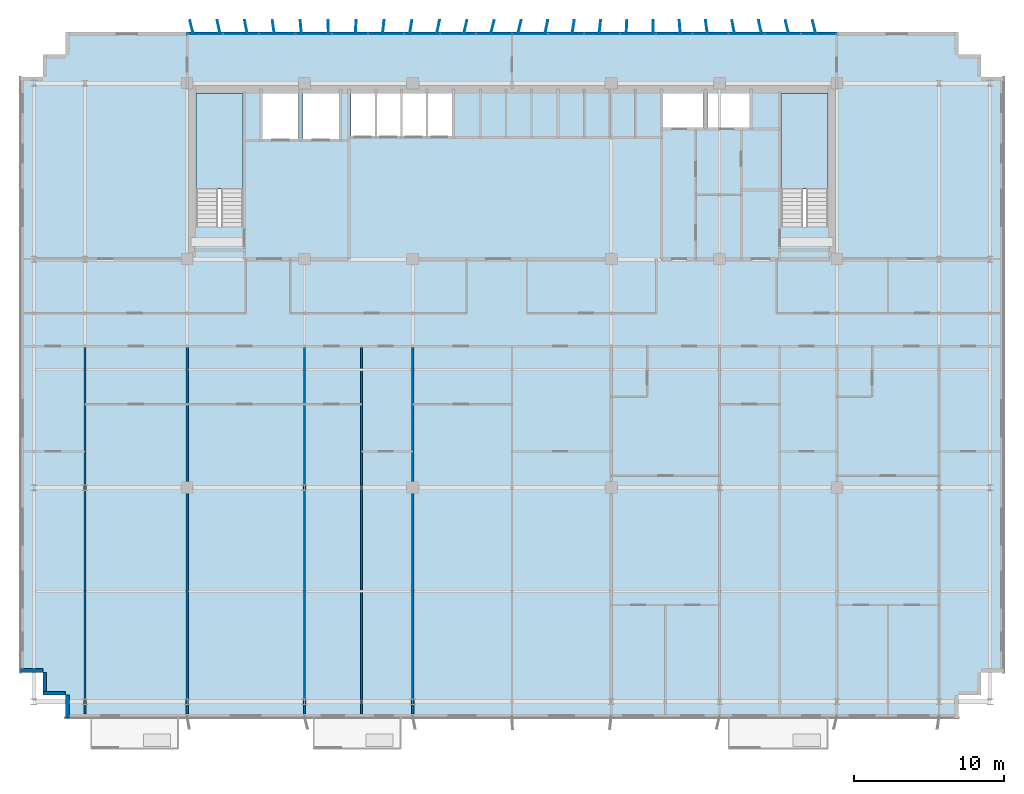
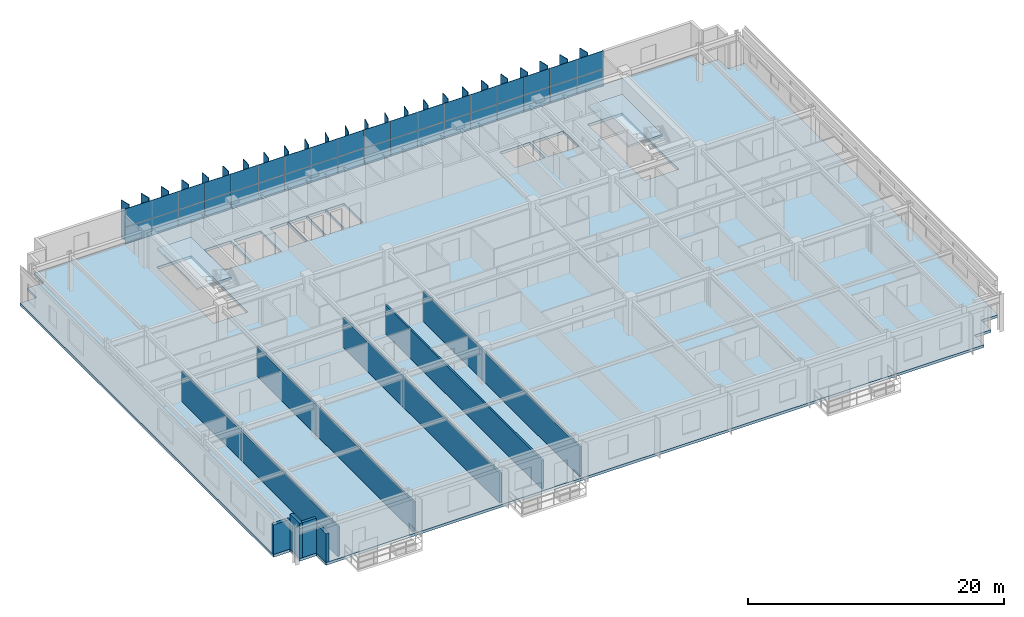
# One storey, part 13 of 21: 60 plates, 9 walls, 3 slabs, 3 elements without a shape of their own.
"""IFC4 building model written with IfcOpenShell, lengths in metres."""

from ifc_helpers import new_model, si_unit, direction, frame, frame_2d, origin, origin_2d, place, context, subcontext, project, spatial, polyline, rectangle, outline, extrude, source, transform, mapped, material, layer, layer_set, type_object, element, aggregate, save


model = new_model("IFC4")

# Units and contexts
model_context = context("Model", 3, precision=1e-05, world=origin(), true_north=direction((0.0, 1.0)))
body_context = subcontext(model_context, "Body", "Model", "MODEL_VIEW")
ifc_project = project(units=[si_unit("LENGTHUNIT", "METRE"), si_unit("AREAUNIT", "SQUARE_METRE"), si_unit("VOLUMEUNIT", "CUBIC_METRE"), si_unit("PLANEANGLEUNIT", "RADIAN"), si_unit("MASSUNIT", "GRAM", prefix="KILO")], contexts=[model_context])

# Site, building, storey
site_placement = place(None, origin())
site = spatial("IfcSite", under=ifc_project, at=site_placement, CompositionType="ELEMENT")
building_placement = place(site_placement, origin())
building = spatial("IfcBuilding", under=site, at=building_placement, Name="Trelvane Seafront Commons", CompositionType="ELEMENT")
storey_placement = place(building_placement, frame((0.0, 0.0, 106.89990234375)))
storey = spatial("IfcBuildingStorey", under=building, at=storey_placement, Name="L27", CompositionType="ELEMENT", Elevation=106.89990234375)

# Stair, slab
ifc_material_1 = material(Name="Concrete C40/50", Category="concrete")
stair_type_1 = type_object("IfcStairType", Name="ARCH-STR-ST-1-R20-180", PredefinedType="HALF_TURN_STAIR", material=ifc_material_1)
stair_1_placement = place(storey_placement, origin())
stair_1 = element("IfcStair", 1, at=stair_1_placement, inside=storey, type_object=stair_type_1, Name="L27 West Protected Firefighting Exit Stair ST-1", PredefinedType="HALF_TURN_STAIR")
ifc_layer_1 = layer(ifc_material_1, 0.199951171875, Name="ARCH-LND-200")
ifc_layer_set_1 = layer_set([ifc_layer_1], Name="Concrete C40/50")
slab_type_1 = type_object("IfcSlabType", Name="ARCH-LND-200", PredefinedType="LANDING", material=ifc_layer_set_1)
slab_1_placement = place(storey_placement, frame((0.0, 0.0, 1.60009765625)))
slab_1 = element("IfcSlab", 2, at=slab_1_placement, type_object=slab_type_1, Name="ST-1 landing 1", PredefinedType="LANDING", context=body_context, shape_type="SweptSolid", body=[
    extrude(outline(polyline([(19.300048828125, 38.070068359375), (19.300048828125, 44.39990234375), (16.199951171875, 44.39990234375), (16.199951171875, 38.070068359375), (19.300048828125, 38.070068359375)])), origin(), (0.0, 0.0, 1.0), 0.199951171875),
])
aggregate(stair_1, [slab_1])

stair_type_2 = type_object("IfcStairType", Name="ARCH-STR-ST-2-R20-180", PredefinedType="HALF_TURN_STAIR", material=ifc_material_1)
stair_2_placement = place(storey_placement, origin())
stair_2 = element("IfcStair", 3, at=stair_2_placement, inside=storey, type_object=stair_type_2, Name="L27 East Protected Firefighting Exit Stair ST-2", PredefinedType="HALF_TURN_STAIR")
slab_2_placement = place(storey_placement, frame((0.0, 0.0, 1.60009765625)))
slab_2 = element("IfcSlab", 4, at=slab_2_placement, type_object=slab_type_1, Name="ST-2 landing 1", PredefinedType="LANDING", context=body_context, shape_type="SweptSolid", body=[
    extrude(outline(polyline([(58.199951171875, 38.070068359375), (58.199951171875, 44.39990234375), (55.10009765625, 44.39990234375), (55.10009765625, 38.070068359375), (58.199951171875, 38.070068359375)])), origin(), (0.0, 0.0, 1.0), 0.199951171875),
])
aggregate(stair_2, [slab_2])

# Slab
ifc_material_2 = material(Name="Concrete C50/60", Category="concrete")
ifc_layer_2 = layer(ifc_material_2, 0.260009765625, Name="STR-SLB-Z1-260")
ifc_layer_set_2 = layer_set([ifc_layer_2], Name="Concrete C50/60")
slab_type_2 = type_object("IfcSlabType", Name="STR-SLB-Z1-260", PredefinedType="FLOOR", material=ifc_layer_set_2)
slab_3_placement = place(storey_placement, frame((0.0, 0.0, -0.260009765625)))
element("IfcSlab", 5, at=slab_3_placement, inside=storey, type_object=slab_type_2, Name="L27 Structural Floor Slab", PredefinedType="FLOOR", context=body_context, shape_type="SweptSolid", body=[
    extrude(outline(polyline([(7.5, 2.89990234375), (66.89990234375, 2.89990234375), (66.89990234375, 4.39990234375), (68.39990234375, 4.39990234375), (68.39990234375, 5.89990234375), (69.89990234375, 5.89990234375), (69.89990234375, 45.5), (68.39990234375, 45.5), (68.39990234375, 47.0), (66.89990234375, 47.0), (66.89990234375, 48.5), (7.5, 48.5), (7.5, 47.0), (6.0, 47.0), (6.0, 45.5), (4.5, 45.5), (4.5, 5.89990234375), (6.0, 5.89990234375), (6.0, 4.39990234375), (7.5, 4.39990234375), (7.5, 2.89990234375)]), holes=[polyline([(19.300048828125, 35.550048828125), (16.199951171875, 35.550048828125), (16.199951171875, 44.39990234375), (19.300048828125, 44.39990234375), (19.300048828125, 35.550048828125)]), polyline([(58.199951171875, 35.550048828125), (55.10009765625, 35.550048828125), (55.10009765625, 44.39990234375), (58.199951171875, 44.39990234375), (58.199951171875, 35.550048828125)]), polyline([(23.0, 41.39990234375), (20.60009765625, 41.39990234375), (20.60009765625, 44.60009765625), (23.0, 44.60009765625), (23.0, 41.39990234375)]), polyline([(23.300048828125, 41.39990234375), (23.300048828125, 44.60009765625), (25.699951171875, 44.60009765625), (25.699951171875, 41.39990234375), (23.300048828125, 41.39990234375)]), polyline([(26.5, 41.60009765625), (26.5, 44.60009765625), (28.1201171875, 44.60009765625), (28.1201171875, 41.60009765625), (26.5, 41.60009765625)]), polyline([(29.820068359375, 41.60009765625), (28.199951171875, 41.60009765625), (28.199951171875, 44.60009765625), (29.820068359375, 44.60009765625), (29.820068359375, 41.60009765625)]), polyline([(31.52001953125, 41.60009765625), (29.89990234375, 41.60009765625), (29.89990234375, 44.60009765625), (31.52001953125, 44.60009765625), (31.52001953125, 41.60009765625)]), polyline([(33.219970703125, 41.60009765625), (31.60009765625, 41.60009765625), (31.60009765625, 44.60009765625), (33.219970703125, 44.60009765625), (33.219970703125, 41.60009765625)]), polyline([(47.25, 42.14990234375), (47.25, 44.550048828125), (49.949951171875, 44.550048828125), (49.949951171875, 42.14990234375), (47.25, 42.14990234375)]), polyline([(50.199951171875, 42.14990234375), (50.199951171875, 44.550048828125), (53.0, 44.550048828125), (53.0, 42.14990234375), (50.199951171875, 42.14990234375)])]), origin(), (0.0, 0.0, 1.0), 0.260009765625),
])

# Plates
ifc_material_3 = material(Name="Anodised pale-silver aluminium", Category="aluminium")
ifc_layer_3 = layer(ifc_material_3, 0.06005859375, Name="ARCH-PLATE-FIN900")
ifc_layer_set_3 = layer_set([ifc_layer_3], Name="Anodised pale-silver aluminium")
plate_type_1 = type_object("IfcPlateType", Name="ARCH-PLATE-FIN900", PredefinedType="USERDEFINED", material=ifc_layer_set_3)
shared_shape_1 = source(origin(), body_context, "Body", "SweptSolid", [
    extrude(rectangle(XDim=0.89990234375, YDim=0.06005859375, at=origin_2d()), origin(), (0.0, 0.0, 1.0), 3.639892578125),
])
for number, where, z_axis, x_axis, name in (
    (6, (15.89208984375, 48.8369140625, -0.02001953125), (0.0, 0.0, 1.0), (-0.239999316129, 0.970773057031, 0.0), "FIN-L27-00682"),
    (7, (17.69970703125, 48.838623046875, -0.02001953125), (0.0, 0.0, 1.0), (-0.223114011497, 0.974792356286, 0.0), "FIN-L27-00683"),
    (8, (19.5146484375, 48.841796875, -0.02001953125), (0.0, 0.0, 1.0), (-0.189787787796, 0.981825134942, 0.0), "FIN-L27-00684"),
    (9, (21.3359375, 48.845458984375, -0.02001953125), (0.0, 0.0, 1.0), (-0.142214324707, 0.989835888341, 0.0), "FIN-L27-00685"),
    (10, (23.162353515625, 48.848388671875, -0.02001953125), (0.0, 0.0, 1.0), (-0.083780456169, 0.996484237288, 0.0), "FIN-L27-00686"),
    (11, (24.991455078125, 48.849853515625, -0.02001953125), (0.0, 0.0, 1.0), (-0.01889032016, 0.999821561982, 0.0), "FIN-L27-00687"),
    (12, (26.8212890625, 48.849609375, -0.02001953125), (0.0, 0.0, 1.0), (0.047554497627, 0.998868644896, 0.0), "FIN-L27-00688"),
    (13, (28.649658203125, 48.847412109375, -0.02001953125), (0.0, 0.0, 1.0), (0.110223508315, 0.993906825721, 0.0), "FIN-L27-00689"),
    (14, (32.292724609375, 48.84033203125, -0.02001953125), (0.0, 0.0, 1.0), (0.20610513076, 0.978529853952, 0.0), "FIN-L27-00691"),
    (15, (34.1044921875, 48.837646484375, -0.02001953125), (0.0, 0.0, 1.0), (0.232561075413, 0.972581794094, 0.0), "FIN-L27-00692"),
    (16, (35.908935546875, 48.836669921875, -0.02001953125), (0.0, 0.0, 1.0), (0.241881251735, 0.970305859025, 0.0), "FIN-L27-00693"),
    (17, (37.705078125, 48.837646484375, -0.02001953125), (0.0, 0.0, 1.0), (0.233662587554, 0.972317743938, 0.0), "FIN-L27-00694"),
    (18, (39.49365234375, 48.840087890625, -0.02001953125), (0.0, 0.0, 1.0), (0.208345296537, 0.978055334534, 0.0), "FIN-L27-00695"),
    (19, (41.275390625, 48.843505859375, -0.02001953125), (0.0, 0.0, 1.0), (0.167551697964, 0.985863290984, 0.0), "FIN-L27-00696"),
    (20, (43.05126953125, 48.846923828125, -0.02001953125), (0.0, 0.0, 1.0), (0.11411357388, 0.993467710727, 0.0), "FIN-L27-00697"),
    (21, (44.8232421875, 48.849365234375, -0.02001953125), (0.0, 0.0, 1.0), (0.051888016097, 0.998652909566, 0.0), "FIN-L27-00698"),
    (22, (46.593505859375, 48.849853515625, -0.02001953125), (0.0, 0.0, 1.0), (-0.014443842619, 0.999895682264, 0.0), "FIN-L27-00699"),
    (23, (48.364013671875, 48.8486328125, -0.02001953125), (0.0, 0.0, 1.0), (-0.079670042035, 0.996821290103, 0.0), "FIN-L27-00700"),
    (24, (50.1376953125, 48.845703125, -0.02001953125), (0.0, 0.0, 1.0), (-0.138666678043, 0.990339109801, 0.0), "FIN-L27-00701"),
    (25, (51.915771484375, 48.842041015625, -0.02001953125), (0.0, 0.0, 1.0), (-0.187004129554, 0.982359127575, 0.0), "FIN-L27-00702"),
    (26, (53.700439453125, 48.8388671875, -0.02001953125), (0.0, 0.0, 1.0), (-0.221328939593, 0.975199210674, 0.0), "FIN-L27-00703"),
    (27, (55.4921875, 48.8369140625, -0.02001953125), (0.0, 0.0, 1.0), (-0.239448623999, 0.970909036144, 0.0), "FIN-L27-00704"),
    (28, (57.2919921875, 48.8369140625, -0.02001953125), (0.0, 0.0, 1.0), (-0.239999316129, 0.970773057031, 0.0), "FIN-L27-00705"),
):
    element("IfcPlate", number, at=place(storey_placement, frame(where, z_axis=z_axis, x_axis=x_axis)), inside=storey, type_object=plate_type_1, Name=name, ObjectType="FIN", PredefinedType="USERDEFINED", context=body_context, shape_type="MappedRepresentation", body=[
        mapped(shared_shape_1, transform((0.0, 0.0, 0.0), x_axis=(1.0, 0.0, 0.0), y_axis=(0.0, 1.0, 0.0), z_axis=(0.0, 0.0, 1.0), scale=1.0)),
    ])
shared_shape_2 = source(origin(), body_context, "Body", "SweptSolid", [
    extrude(rectangle(XDim=0.900146484375, YDim=0.06005859375, at=origin_2d()), origin(), (0.0, 0.0, 1.0), 3.639892578125),
])
plate_1_placement = place(storey_placement, frame((30.47412109375, 48.843994140625, -0.02001953125), z_axis=(0.0, 0.0, 1.0), x_axis=(0.164434758093, 0.986387961368, 0.0)))
element("IfcPlate", 29, at=plate_1_placement, inside=storey, type_object=plate_type_1, Name="FIN-L27-00690", ObjectType="FIN", PredefinedType="USERDEFINED", context=body_context, shape_type="MappedRepresentation", body=[
    mapped(shared_shape_2, transform((0.0, 0.0, 0.0), x_axis=(1.0, 0.0, 0.0), y_axis=(0.0, 1.0, 0.0), z_axis=(0.0, 0.0, 1.0), scale=1.0)),
])

# Curtain wall, plates
curtain_wall_type = type_object("IfcCurtainWallType", Name="ARCH-CW4-SKYLOBBY", PredefinedType="NOTDEFINED", material=ifc_material_3)
curtain_wall_placement = place(storey_placement, origin())
curtain_wall = element("IfcCurtainWall", 30, at=curtain_wall_placement, inside=storey, type_object=curtain_wall_type, Name="CW-L27-0052", PredefinedType="NOTDEFINED")
ifc_material_4 = material(Name="Low-E coastal double glazing", Category="glass")
ifc_layer_4 = layer(ifc_material_4, 0.033935546875, Name="ARCH-CW-GLAZ-34")
ifc_layer_set_4 = layer_set([ifc_layer_4], Name="Low-E coastal double glazing")
plate_type_2 = type_object("IfcPlateType", Name="ARCH-CW-GLAZ-34", PredefinedType="CURTAIN_PANEL", material=ifc_layer_set_4)
shared_shape_3 = source(origin(), body_context, "Body", "SweptSolid", [
    extrude(rectangle(XDim=2.3759765625, YDim=0.0400390625, at=origin_2d()), origin(), (0.0, 0.0, 1.0), 1.5849609375),
])
plate_2_placement = place(storey_placement, frame((16.800048828125, 48.3701171875, 0.0), z_axis=(0.0, 0.0, 1.0), x_axis=(1.0, 0.0, 0.0)))
plate_2 = element("IfcPlate", 31, at=plate_2_placement, type_object=plate_type_2, Name="CW-L27-0052-P00-1", PredefinedType="CURTAIN_PANEL", context=body_context, shape_type="MappedRepresentation", body=[
    mapped(shared_shape_3, transform((0.0, 0.0, 0.0), x_axis=(1.0, 0.0, 0.0), y_axis=(0.0, 1.0, 0.0), z_axis=(0.0, 0.0, 1.0), scale=1.0)),
])
plate_3_placement = place(storey_placement, frame((19.199951171875, 48.3701171875, 0.0), z_axis=(0.0, 0.0, 1.0), x_axis=(1.0, 0.0, 0.0)))
plate_3 = element("IfcPlate", 32, at=plate_3_placement, type_object=plate_type_2, Name="CW-L27-0052-P01-1", PredefinedType="CURTAIN_PANEL", context=body_context, shape_type="MappedRepresentation", body=[
    mapped(shared_shape_3, transform((0.0, 0.0, 0.0), x_axis=(1.0, 0.0, 0.0), y_axis=(0.0, 1.0, 0.0), z_axis=(0.0, 0.0, 1.0), scale=1.0)),
])
plate_4_placement = place(storey_placement, frame((21.60009765625, 48.3701171875, 0.0), z_axis=(0.0, 0.0, 1.0), x_axis=(1.0, 0.0, 0.0)))
plate_4 = element("IfcPlate", 33, at=plate_4_placement, type_object=plate_type_2, Name="CW-L27-0052-P02-1", PredefinedType="CURTAIN_PANEL", context=body_context, shape_type="MappedRepresentation", body=[
    mapped(shared_shape_3, transform((0.0, 0.0, 0.0), x_axis=(1.0, 0.0, 0.0), y_axis=(0.0, 1.0, 0.0), z_axis=(0.0, 0.0, 1.0), scale=1.0)),
])
plate_5_placement = place(storey_placement, frame((24.0, 48.3701171875, 0.0), z_axis=(0.0, 0.0, 1.0), x_axis=(1.0, 0.0, 0.0)))
plate_5 = element("IfcPlate", 34, at=plate_5_placement, type_object=plate_type_2, Name="CW-L27-0052-P03-1", PredefinedType="CURTAIN_PANEL", context=body_context, shape_type="MappedRepresentation", body=[
    mapped(shared_shape_3, transform((0.0, 0.0, 0.0), x_axis=(1.0, 0.0, 0.0), y_axis=(0.0, 1.0, 0.0), z_axis=(0.0, 0.0, 1.0), scale=1.0)),
])
plate_6_placement = place(storey_placement, frame((26.39990234375, 48.3701171875, 0.0), z_axis=(0.0, 0.0, 1.0), x_axis=(1.0, 0.0, 0.0)))
plate_6 = element("IfcPlate", 35, at=plate_6_placement, type_object=plate_type_2, Name="CW-L27-0052-P04-1", PredefinedType="CURTAIN_PANEL", context=body_context, shape_type="MappedRepresentation", body=[
    mapped(shared_shape_3, transform((0.0, 0.0, 0.0), x_axis=(1.0, 0.0, 0.0), y_axis=(0.0, 1.0, 0.0), z_axis=(0.0, 0.0, 1.0), scale=1.0)),
])
plate_7_placement = place(storey_placement, frame((28.800048828125, 48.3701171875, 0.0), z_axis=(0.0, 0.0, 1.0), x_axis=(1.0, 0.0, 0.0)))
plate_7 = element("IfcPlate", 36, at=plate_7_placement, type_object=plate_type_2, Name="CW-L27-0052-P05-1", PredefinedType="CURTAIN_PANEL", context=body_context, shape_type="MappedRepresentation", body=[
    mapped(shared_shape_3, transform((0.0, 0.0, 0.0), x_axis=(1.0, 0.0, 0.0), y_axis=(0.0, 1.0, 0.0), z_axis=(0.0, 0.0, 1.0), scale=1.0)),
])
plate_8_placement = place(storey_placement, frame((31.199951171875, 48.3701171875, 0.0), z_axis=(0.0, 0.0, 1.0), x_axis=(1.0, 0.0, 0.0)))
plate_8 = element("IfcPlate", 37, at=plate_8_placement, type_object=plate_type_2, Name="CW-L27-0052-P06-1", PredefinedType="CURTAIN_PANEL", context=body_context, shape_type="MappedRepresentation", body=[
    mapped(shared_shape_3, transform((0.0, 0.0, 0.0), x_axis=(1.0, 0.0, 0.0), y_axis=(0.0, 1.0, 0.0), z_axis=(0.0, 0.0, 1.0), scale=1.0)),
])
plate_9_placement = place(storey_placement, frame((33.60009765625, 48.3701171875, 0.0), z_axis=(0.0, 0.0, 1.0), x_axis=(1.0, 0.0, 0.0)))
plate_9 = element("IfcPlate", 38, at=plate_9_placement, type_object=plate_type_2, Name="CW-L27-0052-P07-1", PredefinedType="CURTAIN_PANEL", context=body_context, shape_type="MappedRepresentation", body=[
    mapped(shared_shape_3, transform((0.0, 0.0, 0.0), x_axis=(1.0, 0.0, 0.0), y_axis=(0.0, 1.0, 0.0), z_axis=(0.0, 0.0, 1.0), scale=1.0)),
])
plate_10_placement = place(storey_placement, frame((36.0, 48.3701171875, 0.0), z_axis=(0.0, 0.0, 1.0), x_axis=(1.0, 0.0, 0.0)))
plate_10 = element("IfcPlate", 39, at=plate_10_placement, type_object=plate_type_2, Name="CW-L27-0052-P08-1", PredefinedType="CURTAIN_PANEL", context=body_context, shape_type="MappedRepresentation", body=[
    mapped(shared_shape_3, transform((0.0, 0.0, 0.0), x_axis=(1.0, 0.0, 0.0), y_axis=(0.0, 1.0, 0.0), z_axis=(0.0, 0.0, 1.0), scale=1.0)),
])
plate_11_placement = place(storey_placement, frame((38.39990234375, 48.3701171875, 0.0), z_axis=(0.0, 0.0, 1.0), x_axis=(1.0, 0.0, 0.0)))
plate_11 = element("IfcPlate", 40, at=plate_11_placement, type_object=plate_type_2, Name="CW-L27-0052-P09-1", PredefinedType="CURTAIN_PANEL", context=body_context, shape_type="MappedRepresentation", body=[
    mapped(shared_shape_3, transform((0.0, 0.0, 0.0), x_axis=(1.0, 0.0, 0.0), y_axis=(0.0, 1.0, 0.0), z_axis=(0.0, 0.0, 1.0), scale=1.0)),
])
plate_12_placement = place(storey_placement, frame((40.800048828125, 48.3701171875, 0.0), z_axis=(0.0, 0.0, 1.0), x_axis=(1.0, 0.0, 0.0)))
plate_12 = element("IfcPlate", 41, at=plate_12_placement, type_object=plate_type_2, Name="CW-L27-0052-P10-1", PredefinedType="CURTAIN_PANEL", context=body_context, shape_type="MappedRepresentation", body=[
    mapped(shared_shape_3, transform((0.0, 0.0, 0.0), x_axis=(1.0, 0.0, 0.0), y_axis=(0.0, 1.0, 0.0), z_axis=(0.0, 0.0, 1.0), scale=1.0)),
])
plate_13_placement = place(storey_placement, frame((43.199951171875, 48.3701171875, 0.0), z_axis=(0.0, 0.0, 1.0), x_axis=(1.0, 0.0, 0.0)))
plate_13 = element("IfcPlate", 42, at=plate_13_placement, type_object=plate_type_2, Name="CW-L27-0052-P11-1", PredefinedType="CURTAIN_PANEL", context=body_context, shape_type="MappedRepresentation", body=[
    mapped(shared_shape_3, transform((0.0, 0.0, 0.0), x_axis=(1.0, 0.0, 0.0), y_axis=(0.0, 1.0, 0.0), z_axis=(0.0, 0.0, 1.0), scale=1.0)),
])
plate_14_placement = place(storey_placement, frame((45.60009765625, 48.3701171875, 0.0), z_axis=(0.0, 0.0, 1.0), x_axis=(1.0, 0.0, 0.0)))
plate_14 = element("IfcPlate", 43, at=plate_14_placement, type_object=plate_type_2, Name="CW-L27-0052-P12-1", PredefinedType="CURTAIN_PANEL", context=body_context, shape_type="MappedRepresentation", body=[
    mapped(shared_shape_3, transform((0.0, 0.0, 0.0), x_axis=(1.0, 0.0, 0.0), y_axis=(0.0, 1.0, 0.0), z_axis=(0.0, 0.0, 1.0), scale=1.0)),
])
plate_15_placement = place(storey_placement, frame((48.0, 48.3701171875, 0.0), z_axis=(0.0, 0.0, 1.0), x_axis=(1.0, 0.0, 0.0)))
plate_15 = element("IfcPlate", 44, at=plate_15_placement, type_object=plate_type_2, Name="CW-L27-0052-P13-1", PredefinedType="CURTAIN_PANEL", context=body_context, shape_type="MappedRepresentation", body=[
    mapped(shared_shape_3, transform((0.0, 0.0, 0.0), x_axis=(1.0, 0.0, 0.0), y_axis=(0.0, 1.0, 0.0), z_axis=(0.0, 0.0, 1.0), scale=1.0)),
])
plate_16_placement = place(storey_placement, frame((50.39990234375, 48.3701171875, 0.0), z_axis=(0.0, 0.0, 1.0), x_axis=(1.0, 0.0, 0.0)))
plate_16 = element("IfcPlate", 45, at=plate_16_placement, type_object=plate_type_2, Name="CW-L27-0052-P14-1", PredefinedType="CURTAIN_PANEL", context=body_context, shape_type="MappedRepresentation", body=[
    mapped(shared_shape_3, transform((0.0, 0.0, 0.0), x_axis=(1.0, 0.0, 0.0), y_axis=(0.0, 1.0, 0.0), z_axis=(0.0, 0.0, 1.0), scale=1.0)),
])
plate_17_placement = place(storey_placement, frame((52.800048828125, 48.3701171875, 0.0), z_axis=(0.0, 0.0, 1.0), x_axis=(1.0, 0.0, 0.0)))
plate_17 = element("IfcPlate", 46, at=plate_17_placement, type_object=plate_type_2, Name="CW-L27-0052-P15-1", PredefinedType="CURTAIN_PANEL", context=body_context, shape_type="MappedRepresentation", body=[
    mapped(shared_shape_3, transform((0.0, 0.0, 0.0), x_axis=(1.0, 0.0, 0.0), y_axis=(0.0, 1.0, 0.0), z_axis=(0.0, 0.0, 1.0), scale=1.0)),
])
plate_18_placement = place(storey_placement, frame((55.199951171875, 48.3701171875, 0.0), z_axis=(0.0, 0.0, 1.0), x_axis=(1.0, 0.0, 0.0)))
plate_18 = element("IfcPlate", 47, at=plate_18_placement, type_object=plate_type_2, Name="CW-L27-0052-P16-1", PredefinedType="CURTAIN_PANEL", context=body_context, shape_type="MappedRepresentation", body=[
    mapped(shared_shape_3, transform((0.0, 0.0, 0.0), x_axis=(1.0, 0.0, 0.0), y_axis=(0.0, 1.0, 0.0), z_axis=(0.0, 0.0, 1.0), scale=1.0)),
])
plate_19_placement = place(storey_placement, frame((57.60009765625, 48.3701171875, 0.0), z_axis=(0.0, 0.0, 1.0), x_axis=(1.0, 0.0, 0.0)))
plate_19 = element("IfcPlate", 48, at=plate_19_placement, type_object=plate_type_2, Name="CW-L27-0052-P17-1", PredefinedType="CURTAIN_PANEL", context=body_context, shape_type="MappedRepresentation", body=[
    mapped(shared_shape_3, transform((0.0, 0.0, 0.0), x_axis=(1.0, 0.0, 0.0), y_axis=(0.0, 1.0, 0.0), z_axis=(0.0, 0.0, 1.0), scale=1.0)),
])
shared_shape_4 = source(origin(), body_context, "Body", "SweptSolid", [
    extrude(rectangle(XDim=2.3759765625, YDim=0.0400390625, at=origin_2d()), origin(), (0.0, 0.0, 1.0), 1.718994140625),
])
plate_20_placement = place(storey_placement, frame((16.800048828125, 48.3701171875, 1.62109375), z_axis=(0.0, 0.0, 1.0), x_axis=(1.0, 0.0, 0.0)))
plate_20 = element("IfcPlate", 49, at=plate_20_placement, type_object=plate_type_2, Name="CW-L27-0052-P00-2", PredefinedType="CURTAIN_PANEL", context=body_context, shape_type="MappedRepresentation", body=[
    mapped(shared_shape_4, transform((0.0, 0.0, 0.0), x_axis=(1.0, 0.0, 0.0), y_axis=(0.0, 1.0, 0.0), z_axis=(0.0, 0.0, 1.0), scale=1.0)),
])
plate_21_placement = place(storey_placement, frame((19.199951171875, 48.3701171875, 1.62109375), z_axis=(0.0, 0.0, 1.0), x_axis=(1.0, 0.0, 0.0)))
plate_21 = element("IfcPlate", 50, at=plate_21_placement, type_object=plate_type_2, Name="CW-L27-0052-P01-2", PredefinedType="CURTAIN_PANEL", context=body_context, shape_type="MappedRepresentation", body=[
    mapped(shared_shape_4, transform((0.0, 0.0, 0.0), x_axis=(1.0, 0.0, 0.0), y_axis=(0.0, 1.0, 0.0), z_axis=(0.0, 0.0, 1.0), scale=1.0)),
])
plate_22_placement = place(storey_placement, frame((21.60009765625, 48.3701171875, 1.62109375), z_axis=(0.0, 0.0, 1.0), x_axis=(1.0, 0.0, 0.0)))
plate_22 = element("IfcPlate", 51, at=plate_22_placement, type_object=plate_type_2, Name="CW-L27-0052-P02-2", PredefinedType="CURTAIN_PANEL", context=body_context, shape_type="MappedRepresentation", body=[
    mapped(shared_shape_4, transform((0.0, 0.0, 0.0), x_axis=(1.0, 0.0, 0.0), y_axis=(0.0, 1.0, 0.0), z_axis=(0.0, 0.0, 1.0), scale=1.0)),
])
plate_23_placement = place(storey_placement, frame((24.0, 48.3701171875, 1.62109375), z_axis=(0.0, 0.0, 1.0), x_axis=(1.0, 0.0, 0.0)))
plate_23 = element("IfcPlate", 52, at=plate_23_placement, type_object=plate_type_2, Name="CW-L27-0052-P03-2", PredefinedType="CURTAIN_PANEL", context=body_context, shape_type="MappedRepresentation", body=[
    mapped(shared_shape_4, transform((0.0, 0.0, 0.0), x_axis=(1.0, 0.0, 0.0), y_axis=(0.0, 1.0, 0.0), z_axis=(0.0, 0.0, 1.0), scale=1.0)),
])
plate_24_placement = place(storey_placement, frame((26.39990234375, 48.3701171875, 1.62109375), z_axis=(0.0, 0.0, 1.0), x_axis=(1.0, 0.0, 0.0)))
plate_24 = element("IfcPlate", 53, at=plate_24_placement, type_object=plate_type_2, Name="CW-L27-0052-P04-2", PredefinedType="CURTAIN_PANEL", context=body_context, shape_type="MappedRepresentation", body=[
    mapped(shared_shape_4, transform((0.0, 0.0, 0.0), x_axis=(1.0, 0.0, 0.0), y_axis=(0.0, 1.0, 0.0), z_axis=(0.0, 0.0, 1.0), scale=1.0)),
])
plate_25_placement = place(storey_placement, frame((28.800048828125, 48.3701171875, 1.62109375), z_axis=(0.0, 0.0, 1.0), x_axis=(1.0, 0.0, 0.0)))
plate_25 = element("IfcPlate", 54, at=plate_25_placement, type_object=plate_type_2, Name="CW-L27-0052-P05-2", PredefinedType="CURTAIN_PANEL", context=body_context, shape_type="MappedRepresentation", body=[
    mapped(shared_shape_4, transform((0.0, 0.0, 0.0), x_axis=(1.0, 0.0, 0.0), y_axis=(0.0, 1.0, 0.0), z_axis=(0.0, 0.0, 1.0), scale=1.0)),
])
plate_26_placement = place(storey_placement, frame((31.199951171875, 48.3701171875, 1.62109375), z_axis=(0.0, 0.0, 1.0), x_axis=(1.0, 0.0, 0.0)))
plate_26 = element("IfcPlate", 55, at=plate_26_placement, type_object=plate_type_2, Name="CW-L27-0052-P06-2", PredefinedType="CURTAIN_PANEL", context=body_context, shape_type="MappedRepresentation", body=[
    mapped(shared_shape_4, transform((0.0, 0.0, 0.0), x_axis=(1.0, 0.0, 0.0), y_axis=(0.0, 1.0, 0.0), z_axis=(0.0, 0.0, 1.0), scale=1.0)),
])
plate_27_placement = place(storey_placement, frame((33.60009765625, 48.3701171875, 1.62109375), z_axis=(0.0, 0.0, 1.0), x_axis=(1.0, 0.0, 0.0)))
plate_27 = element("IfcPlate", 56, at=plate_27_placement, type_object=plate_type_2, Name="CW-L27-0052-P07-2", PredefinedType="CURTAIN_PANEL", context=body_context, shape_type="MappedRepresentation", body=[
    mapped(shared_shape_4, transform((0.0, 0.0, 0.0), x_axis=(1.0, 0.0, 0.0), y_axis=(0.0, 1.0, 0.0), z_axis=(0.0, 0.0, 1.0), scale=1.0)),
])
plate_28_placement = place(storey_placement, frame((36.0, 48.3701171875, 1.62109375), z_axis=(0.0, 0.0, 1.0), x_axis=(1.0, 0.0, 0.0)))
plate_28 = element("IfcPlate", 57, at=plate_28_placement, type_object=plate_type_2, Name="CW-L27-0052-P08-2", PredefinedType="CURTAIN_PANEL", context=body_context, shape_type="MappedRepresentation", body=[
    mapped(shared_shape_4, transform((0.0, 0.0, 0.0), x_axis=(1.0, 0.0, 0.0), y_axis=(0.0, 1.0, 0.0), z_axis=(0.0, 0.0, 1.0), scale=1.0)),
])
plate_29_placement = place(storey_placement, frame((38.39990234375, 48.3701171875, 1.62109375), z_axis=(0.0, 0.0, 1.0), x_axis=(1.0, 0.0, 0.0)))
plate_29 = element("IfcPlate", 58, at=plate_29_placement, type_object=plate_type_2, Name="CW-L27-0052-P09-2", PredefinedType="CURTAIN_PANEL", context=body_context, shape_type="MappedRepresentation", body=[
    mapped(shared_shape_4, transform((0.0, 0.0, 0.0), x_axis=(1.0, 0.0, 0.0), y_axis=(0.0, 1.0, 0.0), z_axis=(0.0, 0.0, 1.0), scale=1.0)),
])
plate_30_placement = place(storey_placement, frame((40.800048828125, 48.3701171875, 1.62109375), z_axis=(0.0, 0.0, 1.0), x_axis=(1.0, 0.0, 0.0)))
plate_30 = element("IfcPlate", 59, at=plate_30_placement, type_object=plate_type_2, Name="CW-L27-0052-P10-2", PredefinedType="CURTAIN_PANEL", context=body_context, shape_type="MappedRepresentation", body=[
    mapped(shared_shape_4, transform((0.0, 0.0, 0.0), x_axis=(1.0, 0.0, 0.0), y_axis=(0.0, 1.0, 0.0), z_axis=(0.0, 0.0, 1.0), scale=1.0)),
])
plate_31_placement = place(storey_placement, frame((43.199951171875, 48.3701171875, 1.62109375), z_axis=(0.0, 0.0, 1.0), x_axis=(1.0, 0.0, 0.0)))
plate_31 = element("IfcPlate", 60, at=plate_31_placement, type_object=plate_type_2, Name="CW-L27-0052-P11-2", PredefinedType="CURTAIN_PANEL", context=body_context, shape_type="MappedRepresentation", body=[
    mapped(shared_shape_4, transform((0.0, 0.0, 0.0), x_axis=(1.0, 0.0, 0.0), y_axis=(0.0, 1.0, 0.0), z_axis=(0.0, 0.0, 1.0), scale=1.0)),
])
plate_32_placement = place(storey_placement, frame((45.60009765625, 48.3701171875, 1.62109375), z_axis=(0.0, 0.0, 1.0), x_axis=(1.0, 0.0, 0.0)))
plate_32 = element("IfcPlate", 61, at=plate_32_placement, type_object=plate_type_2, Name="CW-L27-0052-P12-2", PredefinedType="CURTAIN_PANEL", context=body_context, shape_type="MappedRepresentation", body=[
    mapped(shared_shape_4, transform((0.0, 0.0, 0.0), x_axis=(1.0, 0.0, 0.0), y_axis=(0.0, 1.0, 0.0), z_axis=(0.0, 0.0, 1.0), scale=1.0)),
])
plate_33_placement = place(storey_placement, frame((48.0, 48.3701171875, 1.62109375), z_axis=(0.0, 0.0, 1.0), x_axis=(1.0, 0.0, 0.0)))
plate_33 = element("IfcPlate", 62, at=plate_33_placement, type_object=plate_type_2, Name="CW-L27-0052-P13-2", PredefinedType="CURTAIN_PANEL", context=body_context, shape_type="MappedRepresentation", body=[
    mapped(shared_shape_4, transform((0.0, 0.0, 0.0), x_axis=(1.0, 0.0, 0.0), y_axis=(0.0, 1.0, 0.0), z_axis=(0.0, 0.0, 1.0), scale=1.0)),
])
plate_34_placement = place(storey_placement, frame((50.39990234375, 48.3701171875, 1.62109375), z_axis=(0.0, 0.0, 1.0), x_axis=(1.0, 0.0, 0.0)))
plate_34 = element("IfcPlate", 63, at=plate_34_placement, type_object=plate_type_2, Name="CW-L27-0052-P14-2", PredefinedType="CURTAIN_PANEL", context=body_context, shape_type="MappedRepresentation", body=[
    mapped(shared_shape_4, transform((0.0, 0.0, 0.0), x_axis=(1.0, 0.0, 0.0), y_axis=(0.0, 1.0, 0.0), z_axis=(0.0, 0.0, 1.0), scale=1.0)),
])
plate_35_placement = place(storey_placement, frame((52.800048828125, 48.3701171875, 1.62109375), z_axis=(0.0, 0.0, 1.0), x_axis=(1.0, 0.0, 0.0)))
plate_35 = element("IfcPlate", 64, at=plate_35_placement, type_object=plate_type_2, Name="CW-L27-0052-P15-2", PredefinedType="CURTAIN_PANEL", context=body_context, shape_type="MappedRepresentation", body=[
    mapped(shared_shape_4, transform((0.0, 0.0, 0.0), x_axis=(1.0, 0.0, 0.0), y_axis=(0.0, 1.0, 0.0), z_axis=(0.0, 0.0, 1.0), scale=1.0)),
])
plate_36_placement = place(storey_placement, frame((55.199951171875, 48.3701171875, 1.62109375), z_axis=(0.0, 0.0, 1.0), x_axis=(1.0, 0.0, 0.0)))
plate_36 = element("IfcPlate", 65, at=plate_36_placement, type_object=plate_type_2, Name="CW-L27-0052-P16-2", PredefinedType="CURTAIN_PANEL", context=body_context, shape_type="MappedRepresentation", body=[
    mapped(shared_shape_4, transform((0.0, 0.0, 0.0), x_axis=(1.0, 0.0, 0.0), y_axis=(0.0, 1.0, 0.0), z_axis=(0.0, 0.0, 1.0), scale=1.0)),
])
plate_37_placement = place(storey_placement, frame((57.60009765625, 48.3701171875, 1.62109375), z_axis=(0.0, 0.0, 1.0), x_axis=(1.0, 0.0, 0.0)))
plate_37 = element("IfcPlate", 66, at=plate_37_placement, type_object=plate_type_2, Name="CW-L27-0052-P17-2", PredefinedType="CURTAIN_PANEL", context=body_context, shape_type="MappedRepresentation", body=[
    mapped(shared_shape_4, transform((0.0, 0.0, 0.0), x_axis=(1.0, 0.0, 0.0), y_axis=(0.0, 1.0, 0.0), z_axis=(0.0, 0.0, 1.0), scale=1.0)),
])
aggregate(curtain_wall, [plate_2, plate_20, plate_3, plate_21, plate_4, plate_22, plate_5, plate_23, plate_6, plate_24, plate_7, plate_25, plate_8, plate_26, plate_9, plate_27, plate_10, plate_28, plate_11, plate_29, plate_12, plate_30, plate_13, plate_31, plate_14, plate_32, plate_15, plate_33, plate_16, plate_34, plate_17, plate_35, plate_18, plate_36, plate_19, plate_37])

# Walls
ifc_material_5 = material(Name="Precast concrete C40/50", Category="concrete")
ifc_layer_5 = layer(ifc_material_5, 0.260009765625, Name="ARCH-WALL-EXT260")
ifc_layer_set_5 = layer_set([ifc_layer_5], Name="Precast concrete C40/50")
wall_type_1 = type_object("IfcWallType", Name="ARCH-WALL-EXT260", PredefinedType="SOLIDWALL", material=ifc_layer_set_5)
for number, where, z_axis, x_axis, name in (
    (67, (7.5, 4.530029296875, 0.0), (0.0, 0.0, 1.0), (-1.0, 0.0, 0.0), "EW-L27-00498"),
    (68, (6.1298828125, 4.39990234375, 0.0), (0.0, 0.0, 1.0), (0.0, 1.0, 0.0), "EW-L27-00499"),
):
    element("IfcWall", number, at=place(storey_placement, frame(where, z_axis=z_axis, x_axis=x_axis)), inside=storey, type_object=wall_type_1, Name=name, PredefinedType="SOLIDWALL", context=body_context, shape_type="SweptSolid", body=[
        extrude(rectangle(XDim=1.5, YDim=0.260009765625, at=frame_2d((0.75, 0.0))), origin(), (0.0, 0.0, 1.0), 3.340087890625),
    ])
wall_1_placement = place(storey_placement, frame((6.0, 6.030029296875, 0.0), z_axis=(0.0, 0.0, 1.0), x_axis=(-1.0, 0.0, 0.0)))
element("IfcWall", 69, at=wall_1_placement, inside=storey, type_object=wall_type_1, Name="EW-L27-00500", PredefinedType="SOLIDWALL", context=body_context, shape_type="SweptSolid", body=[
    extrude(rectangle(XDim=1.5, YDim=0.260009765625, at=frame_2d((0.75, 0.0))), origin(), (0.0, 0.0, 1.0), 2.840087890625),
])
wall_2_placement = place(storey_placement, frame((7.6298828125, 2.89990234375, 0.0), z_axis=(0.0, 0.0, 1.0), x_axis=(0.0, 1.0, 0.0)))
element("IfcWall", 70, at=wall_2_placement, inside=storey, type_object=wall_type_1, Name="EW-L27-00516", PredefinedType="SOLIDWALL", context=body_context, shape_type="SweptSolid", body=[
    extrude(rectangle(XDim=1.5, YDim=0.260009765625, at=frame_2d((0.75, 0.0))), origin(), (0.0, 0.0, 1.0), 2.752197265625),
])
ifc_material_6 = material(Name="Gypsum Drywall Acoustic Partition")
ifc_layer_6 = layer(ifc_material_6, 0.14990234375, Name="ARCH-WALL-PART150")
ifc_layer_set_6 = layer_set([ifc_layer_6], Name="Gypsum Drywall Acoustic Partition")
wall_type_2 = type_object("IfcWallType", Name="ARCH-WALL-PART150", PredefinedType="PARTITIONING", material=ifc_layer_set_6)
for number, where, z_axis, x_axis, name in (
    (71, (8.800048828125, 3.14501953125, 0.0), (0.0, 0.0, 1.0), (0.0, 1.0, 0.0), "W-L27-PW-1-054"),
    (72, (15.60009765625, 3.14501953125, 0.0), (0.0, 0.0, 1.0), (0.0, 1.0, 0.0), "W-L27-PW-2-055"),
    (73, (23.39990234375, 3.14501953125, 0.0), (0.0, 0.0, 1.0), (0.0, 1.0, 0.0), "W-L27-PW-3-056"),
):
    element("IfcWall", number, at=place(storey_placement, frame(where, z_axis=z_axis, x_axis=x_axis)), inside=storey, type_object=wall_type_2, Name=name, PredefinedType="PARTITIONING", context=body_context, shape_type="SweptSolid", body=[
        extrude(rectangle(XDim=24.455078125, YDim=0.14990234375, at=frame_2d((12.2275390625, 0.0))), origin(), (0.0, 0.0, 1.0), 2.840087890625),
    ])
wall_3_placement = place(storey_placement, frame((27.199951171875, 3.14501953125, 0.0), z_axis=(0.0, 0.0, 1.0), x_axis=(0.0, 1.0, 0.0)))
element("IfcWall", 74, at=wall_3_placement, inside=storey, type_object=wall_type_2, Name="W-L27-PW-4-057", PredefinedType="PARTITIONING", context=body_context, shape_type="SweptSolid", body=[
    extrude(rectangle(XDim=24.455078125, YDim=0.14990234375, at=frame_2d((12.2275390625, 0.0))), origin(), (0.0, 0.0, 1.0), 2.752197265625),
])
wall_4_placement = place(storey_placement, frame((30.60009765625, 3.14501953125, 0.0), z_axis=(0.0, 0.0, 1.0), x_axis=(0.0, 1.0, 0.0)))
element("IfcWall", 75, at=wall_4_placement, inside=storey, type_object=wall_type_2, Name="W-L27-PW-5-058", PredefinedType="PARTITIONING", context=body_context, shape_type="SweptSolid", body=[
    extrude(rectangle(XDim=24.455078125, YDim=0.14990234375, at=frame_2d((12.2275390625, 0.0))), origin(), (0.0, 0.0, 1.0), 2.840087890625),
])

save(model, "model.ifc")
